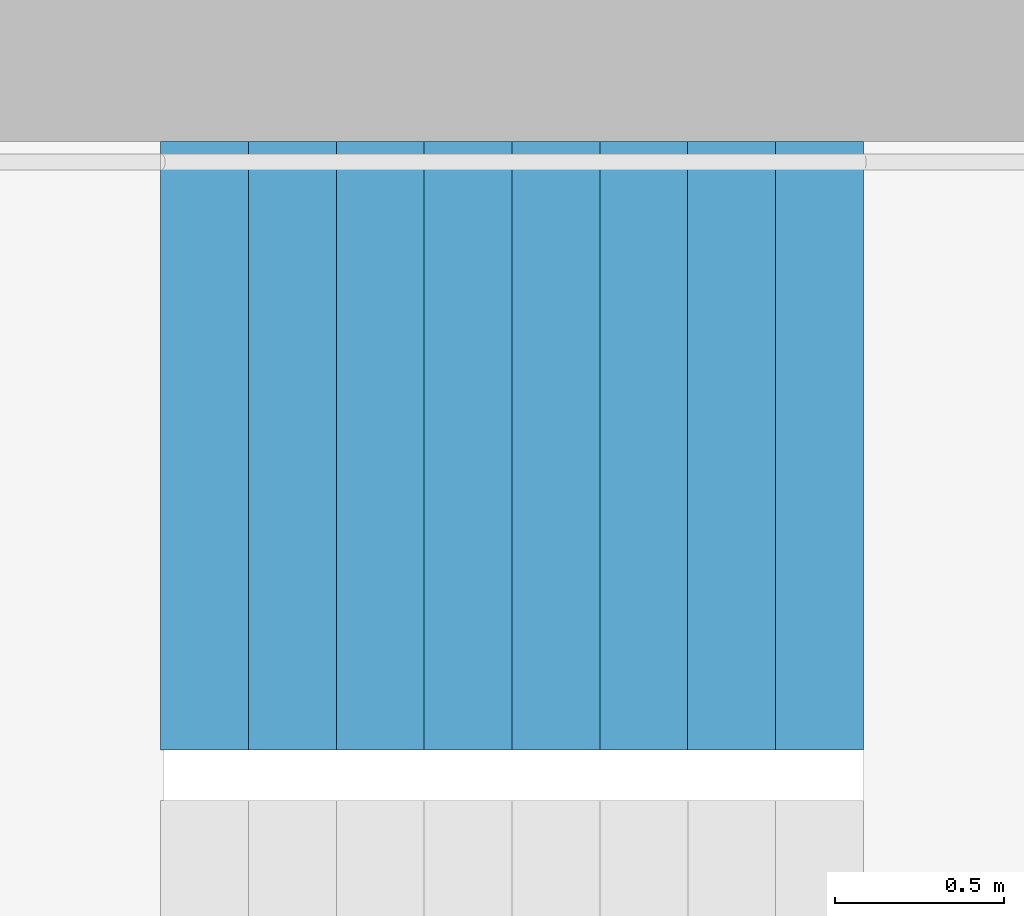
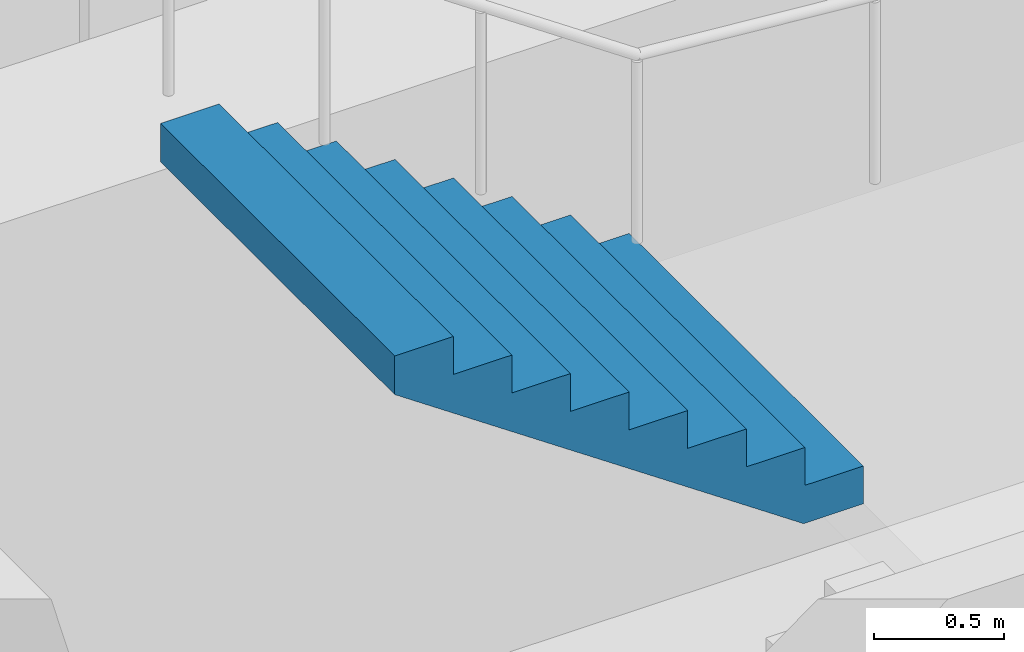
# One storey, part 24 of 29: 1 stair flight, 1 element without a shape of its own.
"""IFC4 building model written with IfcOpenShell, lengths in metres."""

import ifcopenshell
import ifcopenshell.guid

model = None  # the IFC model being written
_history = None  # IfcOwnerHistory: only IFC2X3 demands one
_inside = {}  # id of a spatial element -> (the spatial element, [elements in it])
_under = {}  # id of a project, library or spatial element -> (it, [spatial elements below it])
_declared = {}  # id of a project -> (the project, [libraries it declares])
_typed = {}  # id of a type object -> (the type object, [elements of that type])
_made_of = {}  # id of a material, layer set ... -> (it, [elements and type objects made of it])


def new_model(schema):
    """Start an empty IFC model of exactly this schema.

    Asked for "IFC4X3", IfcOpenShell would pick the latest addendum, in which some entities
    have other attributes; the version numbers below select the first issue.
    IFC2X3 requires an IfcOwnerHistory on every rooted entity: one is made here for all.
    """
    global model, _history
    if schema == "IFC4X3":
        model = ifcopenshell.file(schema_version=(4, 3, 0, 0))
    else:
        model = ifcopenshell.file(schema=schema)
    _inside.clear()
    _under.clear()
    _declared.clear()
    _typed.clear()
    _made_of.clear()
    _history = None
    if model.schema == "IFC2X3":
        org = make("IfcOrganization", Name="unknown")
        user = make(
            "IfcPersonAndOrganization",
            ThePerson=make("IfcPerson", FamilyName="unknown"),
            TheOrganization=org,
        )
        app = make(
            "IfcApplication",
            ApplicationDeveloper=org,
            Version="unknown",
            ApplicationFullName="unknown",
            ApplicationIdentifier="unknown",
        )
        _history = make(
            "IfcOwnerHistory",
            OwningUser=user,
            OwningApplication=app,
            ChangeAction="ADDED",
            CreationDate=0,
        )
    return model


def make(cls, **values):
    """One entity of the class cls with the attributes given. An attribute that is None is left unset."""
    return model.create_entity(
        cls, **{name: value for name, value in values.items() if value is not None}
    )


def rooted(cls, **values):
    """An entity with a GlobalId (a new one), such as an element, a storey or a relation."""
    return make(cls, GlobalId=ifcopenshell.guid.new(), OwnerHistory=_history, **values)


def si_unit(unit_type, name, prefix=None):
    """IfcSIUnit, for example si_unit("LENGTHUNIT", "METRE", prefix="MILLI")."""
    return make("IfcSIUnit", UnitType=unit_type, Prefix=prefix, Name=name)


def assignment(units):
    """IfcUnitAssignment: the units of a project."""
    return None if units is None else make("IfcUnitAssignment", Units=units)


def point(xyz):
    """IfcCartesianPoint."""
    return None if xyz is None else make("IfcCartesianPoint", Coordinates=xyz)


def direction(xyz):
    """IfcDirection."""
    return None if xyz is None else make("IfcDirection", DirectionRatios=xyz)


def frame(location, z_axis=None, x_axis=None):
    """IfcAxis2Placement3D, a coordinate frame: its origin and axes. An axis left out is left unset."""
    return make(
        "IfcAxis2Placement3D",
        Location=point(location),
        Axis=direction(z_axis),
        RefDirection=direction(x_axis),
    )


def origin():
    """The frame at (0, 0, 0) with its axes left unset."""
    return frame((0.0, 0.0, 0.0))


def place(relative_to, where):
    """IfcLocalPlacement: puts the frame where relative to a parent placement (None: the world)."""
    return make(
        "IfcLocalPlacement", PlacementRelTo=relative_to, RelativePlacement=where
    )


def context(
    kind, dimensions, precision=None, world=None, true_north=None, identifier=None
):
    """IfcGeometricRepresentationContext, for example the 3D "Model" context."""
    return make(
        "IfcGeometricRepresentationContext",
        ContextIdentifier=identifier,
        ContextType=kind,
        CoordinateSpaceDimension=dimensions,
        Precision=precision,
        WorldCoordinateSystem=world,
        TrueNorth=true_north,
    )


def subcontext(parent, identifier, kind, view, scale=None):
    """IfcGeometricRepresentationSubContext, for example "Body" below "Model"."""
    return make(
        "IfcGeometricRepresentationSubContext",
        ContextIdentifier=identifier,
        ContextType=kind,
        ParentContext=parent,
        TargetScale=scale,
        TargetView=view,
    )


def project(units=None, contexts=None):
    """IfcProject with its units and contexts."""
    return rooted(
        "IfcProject",
        Name="project",
        RepresentationContexts=contexts,
        UnitsInContext=assignment(units),
    )


def spatial(cls, under=None, at=None, **own):
    """A site, building, storey or space (cls), placed at a placement, below another one or the project."""
    s = rooted(cls, ObjectPlacement=at, **own)
    if under is not None:
        _under.setdefault(under.id(), (under, []))[1].append(s)
    return s


def point_list(points):
    """IfcCartesianPointList2D or 3D."""
    cls = (
        "IfcCartesianPointList2D" if len(points[0]) == 2 else "IfcCartesianPointList3D"
    )
    return make(cls, CoordList=points)


def triangles(points, corners, closed=None, point_numbers=None):
    """IfcTriangulatedFaceSet: each triangle names its three corners, points numbered from 1."""
    return make(
        "IfcTriangulatedFaceSet",
        Coordinates=point_list(points),
        Closed=closed,
        CoordIndex=corners,
        PnIndex=point_numbers,
    )


def shape(context_of_items, identifier, shape_type, items):
    """IfcShapeRepresentation: the items that make up one representation, for example the "Body"."""
    return make(
        "IfcShapeRepresentation",
        ContextOfItems=context_of_items,
        RepresentationIdentifier=identifier,
        RepresentationType=shape_type,
        Items=items,
    )


def material(Name=None, Category=None):
    """IfcMaterial."""
    return make("IfcMaterial", Name=Name, Category=Category)


def made_of(thing, what):
    """Note that an element or type object is made of a material, layer set ...; save() writes the relation."""
    if what is not None:
        _made_of.setdefault(what.id(), (what, []))[1].append(thing)
    return thing


def type_object(cls, material=None, **own):
    """A type object (cls), such as IfcWallType, which elements share."""
    return made_of(rooted(cls, **own), material)


def element(
    cls,
    number,
    at=None,
    inside=None,
    cuts=None,
    type_object=None,
    material=None,
    context=None,
    identifier="Body",
    shape_type=None,
    held_by="IfcProductDefinitionShape",
    body=None,
    shapes=None,
    **own,
):
    """One element of the class cls, such as IfcWall. Its Tag is "e" and its number.

    at: its placement. inside: the storey or other place that contains it. cuts: it is an
    opening in that element (IfcRelVoidsElement). A single representation is given by context,
    identifier, shape_type and body (its items); several are given by shapes. held_by: the class
    of the entity that holds the representations. save() writes the other relations.
    """
    e = rooted(cls, Tag="e%d" % number, ObjectPlacement=at, **own)
    if body is not None:
        shapes = [shape(context, identifier, shape_type, body)]
    if shapes is not None:
        e.Representation = make(held_by, Representations=shapes)
    if inside is not None:
        _inside.setdefault(inside.id(), (inside, []))[1].append(e)
    if cuts is not None:
        rooted(
            "IfcRelVoidsElement", RelatingBuildingElement=cuts, RelatedOpeningElement=e
        )
    if type_object is not None:
        _typed.setdefault(type_object.id(), (type_object, []))[1].append(e)
    return made_of(e, material)


def aggregate(whole, parts):
    """IfcRelAggregates: a whole, such as a stair, and the parts it consists of."""
    return rooted("IfcRelAggregates", RelatingObject=whole, RelatedObjects=parts)


def save(model, path):
    """Write the relations noted so far, then the file.

    IfcRelAggregates (storeys below a building ...), IfcRelContainedInSpatialStructure (elements
    in a storey), IfcRelDefinesByType, IfcRelAssociatesMaterial and IfcRelDeclares: one each for
    every whole, place, type object, material and project.
    """
    for whole, parts in _under.values():
        aggregate(whole, parts)
    for where, things in _inside.values():
        rooted(
            "IfcRelContainedInSpatialStructure",
            RelatedElements=things,
            RelatingStructure=where,
        )
    for kind, things in _typed.values():
        rooted("IfcRelDefinesByType", RelatedObjects=things, RelatingType=kind)
    for what, things in _made_of.values():
        rooted("IfcRelAssociatesMaterial", RelatedObjects=things, RelatingMaterial=what)
    for by, libraries in _declared.values():
        rooted("IfcRelDeclares", RelatingContext=by, RelatedDefinitions=libraries)
    model.write(path)


model = new_model("IFC4")

# Units and contexts
model_context = context("Model", 3, precision=1e-05, world=origin(), true_north=direction((0.0, 1.0)))
body_context = subcontext(model_context, "Body", "Model", "MODEL_VIEW")
ifc_project = project(units=[si_unit("LENGTHUNIT", "METRE"), si_unit("AREAUNIT", "SQUARE_METRE"), si_unit("VOLUMEUNIT", "CUBIC_METRE"), si_unit("PLANEANGLEUNIT", "RADIAN"), si_unit("MASSUNIT", "GRAM", prefix="KILO")], contexts=[model_context])

# Site, building, storey
site_placement = place(None, origin())
site = spatial("IfcSite", under=ifc_project, at=site_placement, CompositionType="ELEMENT")
building_placement = place(site_placement, origin())
building = spatial("IfcBuilding", under=site, at=building_placement, Name="Hakoniwa Tower and Hamabe Station Hall", CompositionType="ELEMENT")
storey_placement = place(building_placement, frame((0.0, 0.0, 29.39990234375)))
storey = spatial("IfcBuildingStorey", under=building, at=storey_placement, Name="L07", CompositionType="ELEMENT", Elevation=29.39990234375)

# Stair, stair flight
ifc_material_1 = material(Name="Concrete C40", Category="concrete")
stair_type = type_object("IfcStairType", Name="ESCAPE STAIR 1800", PredefinedType="HALF_TURN_STAIR", material=ifc_material_1)
stair_placement = place(storey_placement, origin())
stair = element("IfcStair", 1, at=stair_placement, inside=storey, type_object=stair_type, Name="Escape stair ST-1 L07", PredefinedType="HALF_TURN_STAIR")
ifc_material_2 = material(Name="Concrete C40", Category="concrete")
stair_flight_type = type_object("IfcStairFlightType", Name="STAIR FLIGHT 1800", PredefinedType="STRAIGHT", material=ifc_material_2)
stair_flight_placement = place(storey_placement, frame((-22.320068359375, 6.60009765625, 1.60009765625), z_axis=(0.0, 0.0, 1.0), x_axis=(-1.0, 0.0, 0.0)))
stair_flight = element("IfcStairFlight", 2, at=stair_flight_placement, type_object=stair_flight_type, Name="ST-1 flight 2", NumberOfRisers=9, NumberOfTreads=8, PredefinedType="STRAIGHT", RiserHeight=0.177777778, TreadLength=0.26, context=body_context, shape_type="Tessellation", body=[
    triangles([(0.0, 0.89990234375, 0.0), (0.260009765625, 0.89990234375, 0.0), (0.265625, 0.89990234375, 0.0), (0.52001953125, 0.89990234375, 0.174072265625), (0.780029296875, 0.89990234375, 0.351806640625), (1.0400390625, 0.89990234375, 0.529541015625), (1.300048828125, 0.89990234375, 0.707275390625), (1.56005859375, 0.89990234375, 0.885009765625), (1.820068359375, 0.89990234375, 1.062744140625), (2.080078125, 0.89990234375, 1.24072265625), (2.080078125, 0.89990234375, 1.422119140625), (1.820068359375, 0.89990234375, 1.422119140625), (1.820068359375, 0.89990234375, 1.244384765625), (1.56005859375, 0.89990234375, 1.244384765625), (1.56005859375, 0.89990234375, 1.066650390625), (1.300048828125, 0.89990234375, 1.066650390625), (1.300048828125, 0.89990234375, 0.888916015625), (1.0400390625, 0.89990234375, 0.888916015625), (1.0400390625, 0.89990234375, 0.711181640625), (0.780029296875, 0.89990234375, 0.711181640625), (0.780029296875, 0.89990234375, 0.533447265625), (0.52001953125, 0.89990234375, 0.533447265625), (0.52001953125, 0.89990234375, 0.35546875), (0.265625, 0.89990234375, 0.35546875), (0.260009765625, 0.89990234375, 0.35546875), (0.260009765625, 0.89990234375, 0.177734375), (0.0, 0.89990234375, 0.177734375), (0.0, 0.06005859375, 0.0), (0.260009765625, 0.06005859375, 0.0), (0.265625, 0.06005859375, 0.0), (0.52001953125, 0.06005859375, 0.174072265625), (0.780029296875, 0.06005859375, 0.351806640625), (1.0400390625, 0.06005859375, 0.529541015625), (1.300048828125, 0.06005859375, 0.707275390625), (1.56005859375, 0.06005859375, 0.885009765625), (1.820068359375, 0.06005859375, 1.062744140625), (2.080078125, 0.06005859375, 1.24072265625), (2.080078125, 0.06005859375, 1.422119140625), (1.820068359375, 0.06005859375, 1.422119140625), (1.820068359375, 0.06005859375, 1.244384765625), (1.56005859375, 0.06005859375, 1.244384765625), (1.56005859375, 0.06005859375, 1.066650390625), (1.300048828125, 0.06005859375, 1.066650390625), (1.300048828125, 0.06005859375, 0.888916015625), (1.0400390625, 0.06005859375, 0.888916015625), (1.0400390625, 0.06005859375, 0.711181640625), (0.780029296875, 0.06005859375, 0.711181640625), (0.780029296875, 0.06005859375, 0.533447265625), (0.52001953125, 0.06005859375, 0.533447265625), (0.52001953125, 0.06005859375, 0.35546875), (0.265625, 0.06005859375, 0.35546875), (0.260009765625, 0.06005859375, 0.35546875), (0.260009765625, 0.06005859375, 0.177734375), (0.0, 0.06005859375, 0.177734375), (0.0, 0.04296875, 0.0), (0.260009765625, 0.04296875, 0.0), (0.265625, 0.04296875, 0.0), (0.52001953125, 0.04296875, 0.174072265625), (0.780029296875, 0.04296875, 0.351806640625), (1.0400390625, 0.04296875, 0.529541015625), (1.300048828125, 0.04296875, 0.707275390625), (1.56005859375, 0.04296875, 0.885009765625), (1.820068359375, 0.04296875, 1.062744140625), (2.080078125, 0.04296875, 1.24072265625), (2.080078125, 0.04296875, 1.422119140625), (1.820068359375, 0.04296875, 1.422119140625), (1.820068359375, 0.04296875, 1.244384765625), (1.56005859375, 0.04296875, 1.244384765625), (1.56005859375, 0.04296875, 1.066650390625), (1.300048828125, 0.04296875, 1.066650390625), (1.300048828125, 0.04296875, 0.888916015625), (1.0400390625, 0.04296875, 0.888916015625), (1.0400390625, 0.04296875, 0.711181640625), (0.780029296875, 0.04296875, 0.711181640625), (0.780029296875, 0.04296875, 0.533447265625), (0.52001953125, 0.04296875, 0.533447265625), (0.52001953125, 0.04296875, 0.35546875), (0.265625, 0.04296875, 0.35546875), (0.260009765625, 0.04296875, 0.35546875), (0.260009765625, 0.04296875, 0.177734375), (0.0, 0.04296875, 0.177734375), (0.0, 0.025634765625, 0.0), (0.260009765625, 0.025634765625, 0.0), (0.265625, 0.025634765625, 0.0), (0.52001953125, 0.025634765625, 0.174072265625), (0.780029296875, 0.025634765625, 0.351806640625), (1.0400390625, 0.025634765625, 0.529541015625), (1.300048828125, 0.025634765625, 0.707275390625), (1.56005859375, 0.025634765625, 0.885009765625), (1.820068359375, 0.025634765625, 1.062744140625), (2.080078125, 0.025634765625, 1.24072265625), (2.080078125, 0.025634765625, 1.422119140625), (1.820068359375, 0.025634765625, 1.422119140625), (1.820068359375, 0.025634765625, 1.244384765625), (1.56005859375, 0.025634765625, 1.244384765625), (1.56005859375, 0.025634765625, 1.066650390625), (1.300048828125, 0.025634765625, 1.066650390625), (1.300048828125, 0.025634765625, 0.888916015625), (1.0400390625, 0.025634765625, 0.888916015625), (1.0400390625, 0.025634765625, 0.711181640625), (0.780029296875, 0.025634765625, 0.711181640625), (0.780029296875, 0.025634765625, 0.533447265625), (0.52001953125, 0.025634765625, 0.533447265625), (0.52001953125, 0.025634765625, 0.35546875), (0.265625, 0.025634765625, 0.35546875), (0.260009765625, 0.025634765625, 0.35546875), (0.260009765625, 0.025634765625, 0.177734375), (0.0, 0.025634765625, 0.177734375), (0.0, 0.008544921875, 0.0), (0.260009765625, 0.008544921875, 0.0), (0.265625, 0.008544921875, 0.0), (0.52001953125, 0.008544921875, 0.174072265625), (0.780029296875, 0.008544921875, 0.351806640625), (1.0400390625, 0.008544921875, 0.529541015625), (1.300048828125, 0.008544921875, 0.707275390625), (1.56005859375, 0.008544921875, 0.885009765625), (1.820068359375, 0.008544921875, 1.062744140625), (2.080078125, 0.008544921875, 1.24072265625), (2.080078125, 0.008544921875, 1.422119140625), (1.820068359375, 0.008544921875, 1.422119140625), (1.820068359375, 0.008544921875, 1.244384765625), (1.56005859375, 0.008544921875, 1.244384765625), (1.56005859375, 0.008544921875, 1.066650390625), (1.300048828125, 0.008544921875, 1.066650390625), (1.300048828125, 0.008544921875, 0.888916015625), (1.0400390625, 0.008544921875, 0.888916015625), (1.0400390625, 0.008544921875, 0.711181640625), (0.780029296875, 0.008544921875, 0.711181640625), (0.780029296875, 0.008544921875, 0.533447265625), (0.52001953125, 0.008544921875, 0.533447265625), (0.52001953125, 0.008544921875, 0.35546875), (0.265625, 0.008544921875, 0.35546875), (0.260009765625, 0.008544921875, 0.35546875), (0.260009765625, 0.008544921875, 0.177734375), (0.0, 0.008544921875, 0.177734375), (0.0, -0.008544921875, 0.0), (0.260009765625, -0.008544921875, 0.0), (0.265625, -0.008544921875, 0.0), (0.52001953125, -0.008544921875, 0.174072265625), (0.780029296875, -0.008544921875, 0.351806640625), (1.0400390625, -0.008544921875, 0.529541015625), (1.300048828125, -0.008544921875, 0.707275390625), (1.56005859375, -0.008544921875, 0.885009765625), (1.820068359375, -0.008544921875, 1.062744140625), (2.080078125, -0.008544921875, 1.24072265625), (2.080078125, -0.008544921875, 1.422119140625), (1.820068359375, -0.008544921875, 1.422119140625), (1.820068359375, -0.008544921875, 1.244384765625), (1.56005859375, -0.008544921875, 1.244384765625), (1.56005859375, -0.008544921875, 1.066650390625), (1.300048828125, -0.008544921875, 1.066650390625), (1.300048828125, -0.008544921875, 0.888916015625), (1.0400390625, -0.008544921875, 0.888916015625), (1.0400390625, -0.008544921875, 0.711181640625), (0.780029296875, -0.008544921875, 0.711181640625), (0.780029296875, -0.008544921875, 0.533447265625), (0.52001953125, -0.008544921875, 0.533447265625), (0.52001953125, -0.008544921875, 0.35546875), (0.265625, -0.008544921875, 0.35546875), (0.260009765625, -0.008544921875, 0.35546875), (0.260009765625, -0.008544921875, 0.177734375), (0.0, -0.008544921875, 0.177734375), (0.0, -0.025634765625, 0.0), (0.260009765625, -0.025634765625, 0.0), (0.265625, -0.025634765625, 0.0), (0.52001953125, -0.025634765625, 0.174072265625), (0.780029296875, -0.025634765625, 0.351806640625), (1.0400390625, -0.025634765625, 0.529541015625), (1.300048828125, -0.025634765625, 0.707275390625), (1.56005859375, -0.025634765625, 0.885009765625), (1.820068359375, -0.025634765625, 1.062744140625), (2.080078125, -0.025634765625, 1.24072265625), (2.080078125, -0.025634765625, 1.422119140625), (1.820068359375, -0.025634765625, 1.422119140625), (1.820068359375, -0.025634765625, 1.244384765625), (1.56005859375, -0.025634765625, 1.244384765625), (1.56005859375, -0.025634765625, 1.066650390625), (1.300048828125, -0.025634765625, 1.066650390625), (1.300048828125, -0.025634765625, 0.888916015625), (1.0400390625, -0.025634765625, 0.888916015625), (1.0400390625, -0.025634765625, 0.711181640625), (0.780029296875, -0.025634765625, 0.711181640625), (0.780029296875, -0.025634765625, 0.533447265625), (0.52001953125, -0.025634765625, 0.533447265625), (0.52001953125, -0.025634765625, 0.35546875), (0.265625, -0.025634765625, 0.35546875), (0.260009765625, -0.025634765625, 0.35546875), (0.260009765625, -0.025634765625, 0.177734375), (0.0, -0.025634765625, 0.177734375), (0.0, -0.04296875, 0.0), (0.260009765625, -0.04296875, 0.0), (0.265625, -0.04296875, 0.0), (0.52001953125, -0.04296875, 0.174072265625), (0.780029296875, -0.04296875, 0.351806640625), (1.0400390625, -0.04296875, 0.529541015625), (1.300048828125, -0.04296875, 0.707275390625), (1.56005859375, -0.04296875, 0.885009765625), (1.820068359375, -0.04296875, 1.062744140625), (2.080078125, -0.04296875, 1.24072265625), (2.080078125, -0.04296875, 1.422119140625), (1.820068359375, -0.04296875, 1.422119140625), (1.820068359375, -0.04296875, 1.244384765625), (1.56005859375, -0.04296875, 1.244384765625), (1.56005859375, -0.04296875, 1.066650390625), (1.300048828125, -0.04296875, 1.066650390625), (1.300048828125, -0.04296875, 0.888916015625), (1.0400390625, -0.04296875, 0.888916015625), (1.0400390625, -0.04296875, 0.711181640625), (0.780029296875, -0.04296875, 0.711181640625), (0.780029296875, -0.04296875, 0.533447265625), (0.52001953125, -0.04296875, 0.533447265625), (0.52001953125, -0.04296875, 0.35546875), (0.265625, -0.04296875, 0.35546875), (0.260009765625, -0.04296875, 0.35546875), (0.260009765625, -0.04296875, 0.177734375), (0.0, -0.04296875, 0.177734375), (0.0, -0.06005859375, 0.0), (0.260009765625, -0.06005859375, 0.0), (0.265625, -0.06005859375, 0.0), (0.52001953125, -0.06005859375, 0.174072265625), (0.780029296875, -0.06005859375, 0.351806640625), (1.0400390625, -0.06005859375, 0.529541015625), (1.300048828125, -0.06005859375, 0.707275390625), (1.56005859375, -0.06005859375, 0.885009765625), (1.820068359375, -0.06005859375, 1.062744140625), (2.080078125, -0.06005859375, 1.24072265625), (2.080078125, -0.06005859375, 1.422119140625), (1.820068359375, -0.06005859375, 1.422119140625), (1.820068359375, -0.06005859375, 1.244384765625), (1.56005859375, -0.06005859375, 1.244384765625), (1.56005859375, -0.06005859375, 1.066650390625), (1.300048828125, -0.06005859375, 1.066650390625), (1.300048828125, -0.06005859375, 0.888916015625), (1.0400390625, -0.06005859375, 0.888916015625), (1.0400390625, -0.06005859375, 0.711181640625), (0.780029296875, -0.06005859375, 0.711181640625), (0.780029296875, -0.06005859375, 0.533447265625), (0.52001953125, -0.06005859375, 0.533447265625), (0.52001953125, -0.06005859375, 0.35546875), (0.265625, -0.06005859375, 0.35546875), (0.260009765625, -0.06005859375, 0.35546875), (0.260009765625, -0.06005859375, 0.177734375), (0.0, -0.06005859375, 0.177734375), (0.0, -0.89990234375, 0.0), (0.260009765625, -0.89990234375, 0.0), (0.265625, -0.89990234375, 0.0), (0.52001953125, -0.89990234375, 0.174072265625), (0.780029296875, -0.89990234375, 0.351806640625), (1.0400390625, -0.89990234375, 0.529541015625), (1.300048828125, -0.89990234375, 0.707275390625), (1.56005859375, -0.89990234375, 0.885009765625), (1.820068359375, -0.89990234375, 1.062744140625), (2.080078125, -0.89990234375, 1.24072265625), (2.080078125, -0.89990234375, 1.422119140625), (1.820068359375, -0.89990234375, 1.422119140625), (1.820068359375, -0.89990234375, 1.244384765625), (1.56005859375, -0.89990234375, 1.244384765625), (1.56005859375, -0.89990234375, 1.066650390625), (1.300048828125, -0.89990234375, 1.066650390625), (1.300048828125, -0.89990234375, 0.888916015625), (1.0400390625, -0.89990234375, 0.888916015625), (1.0400390625, -0.89990234375, 0.711181640625), (0.780029296875, -0.89990234375, 0.711181640625), (0.780029296875, -0.89990234375, 0.533447265625), (0.52001953125, -0.89990234375, 0.533447265625), (0.52001953125, -0.89990234375, 0.35546875), (0.265625, -0.89990234375, 0.35546875), (0.260009765625, -0.89990234375, 0.35546875), (0.260009765625, -0.89990234375, 0.177734375), (0.0, -0.89990234375, 0.177734375)], [[2, 27, 26], [245, 269, 270], [2, 1, 27], [245, 270, 244], [3, 25, 24], [246, 267, 268], [3, 26, 25], [246, 268, 269], [3, 2, 26], [246, 269, 245], [4, 24, 23], [247, 266, 267], [4, 3, 24], [247, 267, 246], [5, 22, 21], [248, 264, 265], [5, 23, 22], [248, 265, 266], [5, 4, 23], [248, 266, 247], [6, 20, 19], [249, 262, 263], [6, 21, 20], [249, 263, 264], [6, 5, 21], [249, 264, 248], [7, 18, 17], [250, 260, 261], [7, 19, 18], [250, 261, 262], [7, 6, 19], [250, 262, 249], [8, 16, 15], [251, 258, 259], [8, 17, 16], [251, 259, 260], [8, 7, 17], [251, 260, 250], [9, 14, 13], [252, 256, 257], [9, 15, 14], [252, 257, 258], [9, 8, 15], [252, 258, 251], [10, 12, 11], [253, 254, 255], [10, 13, 12], [253, 255, 256], [10, 9, 13], [253, 256, 252], [1, 2, 29], [1, 29, 28], [28, 29, 56], [28, 56, 55], [55, 56, 83], [55, 83, 82], [82, 83, 110], [82, 110, 109], [109, 110, 137], [109, 137, 136], [136, 137, 164], [136, 164, 163], [163, 164, 191], [163, 191, 190], [190, 191, 218], [190, 218, 217], [217, 218, 245], [217, 245, 244], [2, 3, 30], [2, 30, 29], [29, 30, 57], [29, 57, 56], [56, 57, 84], [56, 84, 83], [83, 84, 111], [83, 111, 110], [110, 111, 138], [110, 138, 137], [137, 138, 165], [137, 165, 164], [164, 165, 192], [164, 192, 191], [191, 192, 219], [191, 219, 218], [218, 219, 246], [218, 246, 245], [3, 4, 31], [3, 31, 30], [30, 31, 58], [30, 58, 57], [57, 58, 85], [57, 85, 84], [84, 85, 112], [84, 112, 111], [111, 112, 139], [111, 139, 138], [138, 139, 166], [138, 166, 165], [165, 166, 193], [165, 193, 192], [192, 193, 220], [192, 220, 219], [219, 220, 247], [219, 247, 246], [4, 5, 32], [4, 32, 31], [31, 32, 59], [31, 59, 58], [58, 59, 86], [58, 86, 85], [85, 86, 113], [85, 113, 112], [112, 113, 140], [112, 140, 139], [139, 140, 167], [139, 167, 166], [166, 167, 194], [166, 194, 193], [193, 194, 221], [193, 221, 220], [220, 221, 248], [220, 248, 247], [5, 6, 33], [5, 33, 32], [32, 33, 60], [32, 60, 59], [59, 60, 87], [59, 87, 86], [86, 87, 114], [86, 114, 113], [113, 114, 141], [113, 141, 140], [140, 141, 168], [140, 168, 167], [167, 168, 195], [167, 195, 194], [194, 195, 222], [194, 222, 221], [221, 222, 249], [221, 249, 248], [6, 7, 34], [6, 34, 33], [33, 34, 61], [33, 61, 60], [60, 61, 88], [60, 88, 87], [87, 88, 115], [87, 115, 114], [114, 115, 142], [114, 142, 141], [141, 142, 169], [141, 169, 168], [168, 169, 196], [168, 196, 195], [195, 196, 223], [195, 223, 222], [222, 223, 250], [222, 250, 249], [7, 8, 35], [7, 35, 34], [34, 35, 62], [34, 62, 61], [61, 62, 89], [61, 89, 88], [88, 89, 116], [88, 116, 115], [115, 116, 143], [115, 143, 142], [142, 143, 170], [142, 170, 169], [169, 170, 197], [169, 197, 196], [196, 197, 224], [196, 224, 223], [223, 224, 251], [223, 251, 250], [8, 9, 36], [8, 36, 35], [35, 36, 63], [35, 63, 62], [62, 63, 90], [62, 90, 89], [89, 90, 117], [89, 117, 116], [116, 117, 144], [116, 144, 143], [143, 144, 171], [143, 171, 170], [170, 171, 198], [170, 198, 197], [197, 198, 225], [197, 225, 224], [224, 225, 252], [224, 252, 251], [9, 10, 37], [9, 37, 36], [36, 37, 64], [36, 64, 63], [63, 64, 91], [63, 91, 90], [90, 91, 118], [90, 118, 117], [117, 118, 145], [117, 145, 144], [144, 145, 172], [144, 172, 171], [171, 172, 199], [171, 199, 198], [198, 199, 226], [198, 226, 225], [225, 226, 253], [225, 253, 252], [10, 11, 38], [10, 38, 37], [37, 38, 65], [37, 65, 64], [64, 65, 92], [64, 92, 91], [91, 92, 119], [91, 119, 118], [118, 119, 146], [118, 146, 145], [145, 146, 173], [145, 173, 172], [172, 173, 200], [172, 200, 199], [199, 200, 227], [199, 227, 226], [226, 227, 254], [226, 254, 253], [11, 12, 39], [11, 39, 38], [38, 39, 66], [38, 66, 65], [65, 66, 93], [65, 93, 92], [92, 93, 120], [92, 120, 119], [119, 120, 147], [119, 147, 146], [146, 147, 174], [146, 174, 173], [173, 174, 201], [173, 201, 200], [200, 201, 228], [200, 228, 227], [227, 228, 255], [227, 255, 254], [12, 13, 40], [12, 40, 39], [39, 40, 67], [39, 67, 66], [66, 67, 94], [66, 94, 93], [93, 94, 121], [93, 121, 120], [120, 121, 148], [120, 148, 147], [147, 148, 175], [147, 175, 174], [174, 175, 202], [174, 202, 201], [201, 202, 229], [201, 229, 228], [228, 229, 256], [228, 256, 255], [13, 14, 41], [13, 41, 40], [40, 41, 68], [40, 68, 67], [67, 68, 95], [67, 95, 94], [94, 95, 122], [94, 122, 121], [121, 122, 149], [121, 149, 148], [148, 149, 176], [148, 176, 175], [175, 176, 203], [175, 203, 202], [202, 203, 230], [202, 230, 229], [229, 230, 257], [229, 257, 256], [14, 15, 42], [14, 42, 41], [41, 42, 69], [41, 69, 68], [68, 69, 96], [68, 96, 95], [95, 96, 123], [95, 123, 122], [122, 123, 150], [122, 150, 149], [149, 150, 177], [149, 177, 176], [176, 177, 204], [176, 204, 203], [203, 204, 231], [203, 231, 230], [230, 231, 258], [230, 258, 257], [15, 16, 43], [15, 43, 42], [42, 43, 70], [42, 70, 69], [69, 70, 97], [69, 97, 96], [96, 97, 124], [96, 124, 123], [123, 124, 151], [123, 151, 150], [150, 151, 178], [150, 178, 177], [177, 178, 205], [177, 205, 204], [204, 205, 232], [204, 232, 231], [231, 232, 259], [231, 259, 258], [16, 17, 44], [16, 44, 43], [43, 44, 71], [43, 71, 70], [70, 71, 98], [70, 98, 97], [97, 98, 125], [97, 125, 124], [124, 125, 152], [124, 152, 151], [151, 152, 179], [151, 179, 178], [178, 179, 206], [178, 206, 205], [205, 206, 233], [205, 233, 232], [232, 233, 260], [232, 260, 259], [17, 18, 45], [17, 45, 44], [44, 45, 72], [44, 72, 71], [71, 72, 99], [71, 99, 98], [98, 99, 126], [98, 126, 125], [125, 126, 153], [125, 153, 152], [152, 153, 180], [152, 180, 179], [179, 180, 207], [179, 207, 206], [206, 207, 234], [206, 234, 233], [233, 234, 261], [233, 261, 260], [18, 19, 46], [18, 46, 45], [45, 46, 73], [45, 73, 72], [72, 73, 100], [72, 100, 99], [99, 100, 127], [99, 127, 126], [126, 127, 154], [126, 154, 153], [153, 154, 181], [153, 181, 180], [180, 181, 208], [180, 208, 207], [207, 208, 235], [207, 235, 234], [234, 235, 262], [234, 262, 261], [19, 20, 47], [19, 47, 46], [46, 47, 74], [46, 74, 73], [73, 74, 101], [73, 101, 100], [100, 101, 128], [100, 128, 127], [127, 128, 155], [127, 155, 154], [154, 155, 182], [154, 182, 181], [181, 182, 209], [181, 209, 208], [208, 209, 236], [208, 236, 235], [235, 236, 263], [235, 263, 262], [20, 21, 48], [20, 48, 47], [47, 48, 75], [47, 75, 74], [74, 75, 102], [74, 102, 101], [101, 102, 129], [101, 129, 128], [128, 129, 156], [128, 156, 155], [155, 156, 183], [155, 183, 182], [182, 183, 210], [182, 210, 209], [209, 210, 237], [209, 237, 236], [236, 237, 264], [236, 264, 263], [21, 22, 49], [21, 49, 48], [48, 49, 76], [48, 76, 75], [75, 76, 103], [75, 103, 102], [102, 103, 130], [102, 130, 129], [129, 130, 157], [129, 157, 156], [156, 157, 184], [156, 184, 183], [183, 184, 211], [183, 211, 210], [210, 211, 238], [210, 238, 237], [237, 238, 265], [237, 265, 264], [22, 23, 50], [22, 50, 49], [49, 50, 77], [49, 77, 76], [76, 77, 104], [76, 104, 103], [103, 104, 131], [103, 131, 130], [130, 131, 158], [130, 158, 157], [157, 158, 185], [157, 185, 184], [184, 185, 212], [184, 212, 211], [211, 212, 239], [211, 239, 238], [238, 239, 266], [238, 266, 265], [23, 24, 51], [23, 51, 50], [50, 51, 78], [50, 78, 77], [77, 78, 105], [77, 105, 104], [104, 105, 132], [104, 132, 131], [131, 132, 159], [131, 159, 158], [158, 159, 186], [158, 186, 185], [185, 186, 213], [185, 213, 212], [212, 213, 240], [212, 240, 239], [239, 240, 267], [239, 267, 266], [24, 25, 52], [24, 52, 51], [51, 52, 79], [51, 79, 78], [78, 79, 106], [78, 106, 105], [105, 106, 133], [105, 133, 132], [132, 133, 160], [132, 160, 159], [159, 160, 187], [159, 187, 186], [186, 187, 214], [186, 214, 213], [213, 214, 241], [213, 241, 240], [240, 241, 268], [240, 268, 267], [25, 26, 53], [25, 53, 52], [52, 53, 80], [52, 80, 79], [79, 80, 107], [79, 107, 106], [106, 107, 134], [106, 134, 133], [133, 134, 161], [133, 161, 160], [160, 161, 188], [160, 188, 187], [187, 188, 215], [187, 215, 214], [214, 215, 242], [214, 242, 241], [241, 242, 269], [241, 269, 268], [26, 27, 54], [26, 54, 53], [53, 54, 81], [53, 81, 80], [80, 81, 108], [80, 108, 107], [107, 108, 135], [107, 135, 134], [134, 135, 162], [134, 162, 161], [161, 162, 189], [161, 189, 188], [188, 189, 216], [188, 216, 215], [215, 216, 243], [215, 243, 242], [242, 243, 270], [242, 270, 269], [27, 1, 28], [27, 28, 54], [54, 28, 55], [54, 55, 81], [81, 55, 82], [81, 82, 108], [108, 82, 109], [108, 109, 135], [135, 109, 136], [135, 136, 162], [162, 136, 163], [162, 163, 189], [189, 163, 190], [189, 190, 216], [216, 190, 217], [216, 217, 243], [243, 217, 244], [243, 244, 270]], closed=True),
])
aggregate(stair, [stair_flight])

save(model, "model.ifc")
